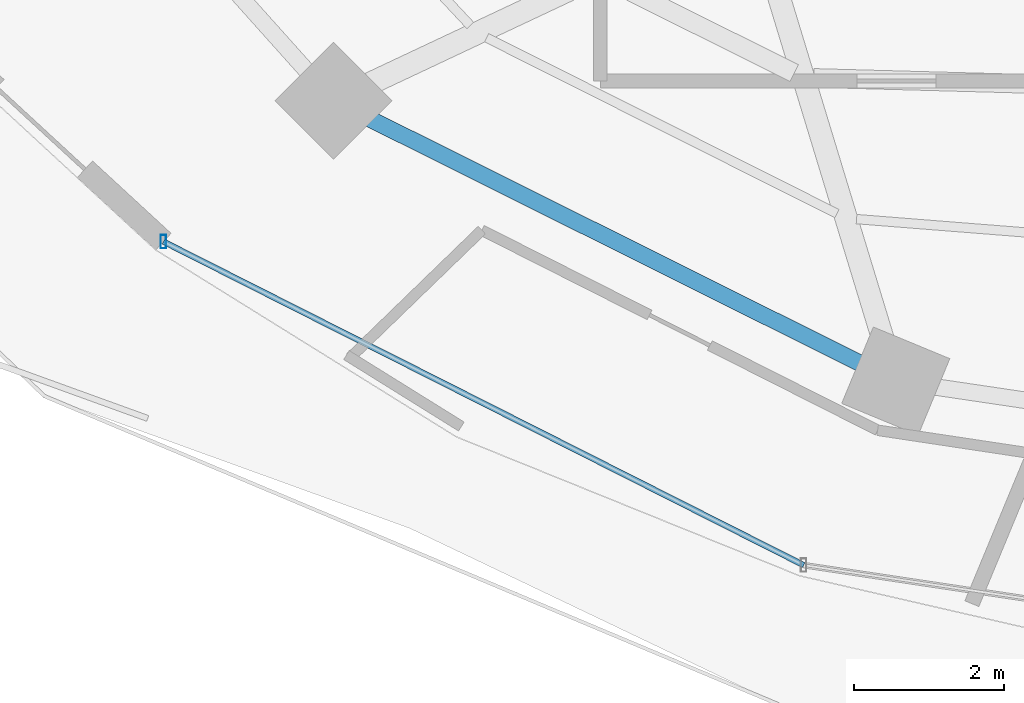
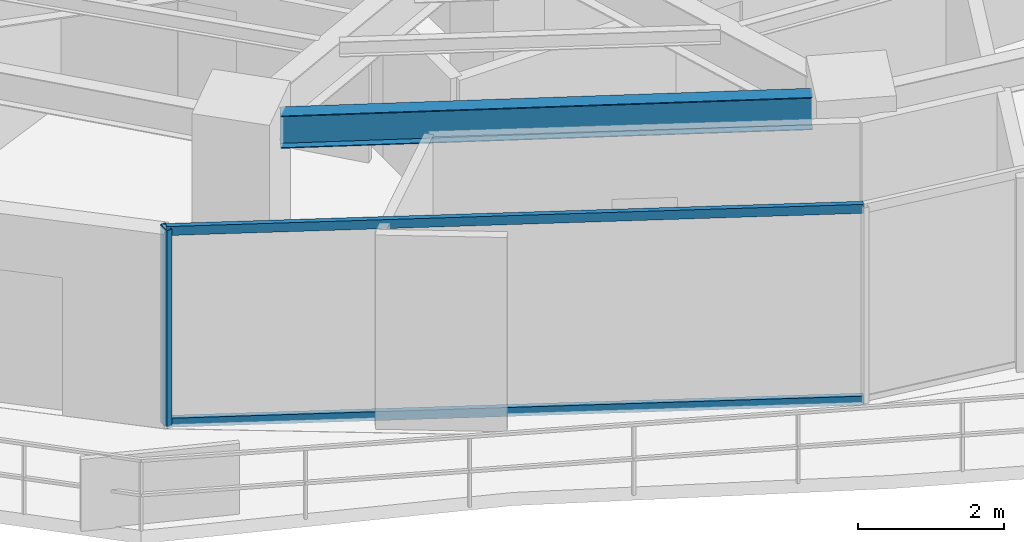
# One storey, part 2 of 30: 3 members, 1 beam, 1 element without a shape of its own.
"""IFC4 building model written with IfcOpenShell, lengths in metres."""

from ifc_helpers import new_model, si_unit, direction, frame, origin, origin_2d, place, context, subcontext, project, spatial, hollow_rectangle, i_section, extrude, material, material_profile, profile_set, type_object, element, aggregate, save


model = new_model("IFC4")

# Units and contexts
model_context = context("Model", 3, precision=1e-05, world=origin(), true_north=direction((0.0, 1.0)))
body_context = subcontext(model_context, "Body", "Model", "MODEL_VIEW")
ifc_project = project(units=[si_unit("LENGTHUNIT", "METRE"), si_unit("AREAUNIT", "SQUARE_METRE"), si_unit("VOLUMEUNIT", "CUBIC_METRE"), si_unit("PLANEANGLEUNIT", "RADIAN"), si_unit("MASSUNIT", "GRAM", prefix="KILO")], contexts=[model_context])

# Site, building, storey
site_placement = place(None, origin())
site = spatial("IfcSite", under=ifc_project, at=site_placement, CompositionType="ELEMENT")
building_placement = place(site_placement, origin())
building = spatial("IfcBuilding", under=site, at=building_placement, Name="Vorneva Point Tower", CompositionType="ELEMENT")
storey_placement = place(building_placement, frame((0.0, 0.0, 106.800048828125)))
storey = spatial("IfcBuildingStorey", under=building, at=storey_placement, Name="L28", CompositionType="ELEMENT", Elevation=106.800048828125)

# Beam
ifc_material_1 = material(Name="Steel S355", Category="steel")
ifc_material_profile_1 = material_profile(ifc_material_1, i_section(OverallWidth=0.219970703125, OverallDepth=0.54296875, WebThickness=0.009521484375, FlangeThickness=0.013427734375, at=origin_2d()), Name="55B1")
ifc_profile_set_1 = profile_set([ifc_material_profile_1], Name="Steel S355")
beam_type = type_object("IfcBeamType", Name="BM-SPN-55B1", PredefinedType="SPANDREL", material=ifc_profile_set_1)
beam_placement = place(storey_placement, frame((22.179931640625, 13.59912109375, 2.968505859375), z_axis=(0.894915882304, -0.446234874926, 0.0), x_axis=(0.446234874926, 0.894915882304, 0.0)))
element("IfcBeam", 1, at=beam_placement, inside=storey, type_object=beam_type, Name="L28 Perimeter Spandrel Ring Beam 11", PredefinedType="SPANDREL", context=body_context, shape_type="SweptSolid", body=[
    extrude(i_section(OverallWidth=0.219970703125, OverallDepth=0.54296875, WebThickness=0.009521484375, FlangeThickness=0.013427734375, at=origin_2d()), origin(), (0.0, 0.0, 1.0), 7.285888671875),
])

# Curtain wall, members
ifc_material_2 = material(Name="Pale anodised aluminium", Category="aluminium")
curtain_wall_type = type_object("IfcCurtainWallType", Name="CW-HTL-SYS", PredefinedType="NOTDEFINED", material=ifc_material_2)
curtain_wall_placement = place(storey_placement, origin())
curtain_wall = element("IfcCurtainWall", 2, at=curtain_wall_placement, inside=storey, type_object=curtain_wall_type, Name="L28 Unitised Curtain Wall CW-L28-R04", PredefinedType="NOTDEFINED")
ifc_material_profile_2 = material_profile(ifc_material_2, hollow_rectangle(XDim=0.074951171875, YDim=0.179931640625, WallThickness=0.00390625, at=origin_2d()), Name="AL-MUL 180x75x4")
ifc_profile_set_2 = profile_set([ifc_material_profile_2], Name="Pale anodised aluminium")
member_type_1 = type_object("IfcMemberType", Name="CW-MUL-180", PredefinedType="MULLION", material=ifc_profile_set_2)
member_1_placement = place(storey_placement, frame((19.4384765625, 11.9638671875, -0.0400390625), z_axis=(0.0, 0.0, 1.0), x_axis=(1.0, 0.0, 0.0)))
member_1 = element("IfcMember", 3, at=member_1_placement, type_object=member_type_1, Name="CW-L28-R04 Mullion 01", PredefinedType="MULLION", context=body_context, shape_type="SweptSolid", body=[
    extrude(hollow_rectangle(XDim=0.074951171875, YDim=0.179931640625, WallThickness=0.00390625, at=origin_2d()), origin(), (0.0, 0.0, 1.0), 3.31005859375),
])
ifc_material_profile_3 = material_profile(ifc_material_2, hollow_rectangle(XDim=0.074951171875, YDim=0.14990234375, WallThickness=0.00390625, at=origin_2d()), Name="AL-TRN 150x75x4")
ifc_profile_set_3 = profile_set([ifc_material_profile_3], Name="Pale anodised aluminium")
member_type_2 = type_object("IfcMemberType", Name="CW-TRN-150", PredefinedType="USERDEFINED", material=ifc_profile_set_3)
member_2_placement = place(storey_placement, frame((19.4384765625, 11.9638671875, 0.02001953125), z_axis=(0.892536035732, -0.450976080207, 0.0), x_axis=(0.450976080207, 0.892536035732, 0.0)))
member_2 = element("IfcMember", 4, at=member_2_placement, type_object=member_type_2, Name="CW-L28-R04 Transom 01.1", ObjectType="TRANSOM", PredefinedType="USERDEFINED", context=body_context, shape_type="SweptSolid", body=[
    extrude(hollow_rectangle(XDim=0.074951171875, YDim=0.14990234375, WallThickness=0.00390625, at=origin_2d()), origin(), (0.0, 0.0, 1.0), 9.54150390625),
])
member_3_placement = place(storey_placement, frame((19.4384765625, 11.9638671875, 3.219970703125), z_axis=(0.892536035732, -0.450976080207, 0.0), x_axis=(0.450976080207, 0.892536035732, 0.0)))
member_3 = element("IfcMember", 5, at=member_3_placement, type_object=member_type_2, Name="CW-L28-R04 Transom 01.2", ObjectType="TRANSOM", PredefinedType="USERDEFINED", context=body_context, shape_type="SweptSolid", body=[
    extrude(hollow_rectangle(XDim=0.074951171875, YDim=0.14990234375, WallThickness=0.00390625, at=origin_2d()), origin(), (0.0, 0.0, 1.0), 9.54150390625),
])
aggregate(curtain_wall, [member_1, member_2, member_3])

save(model, "model.ifc")
